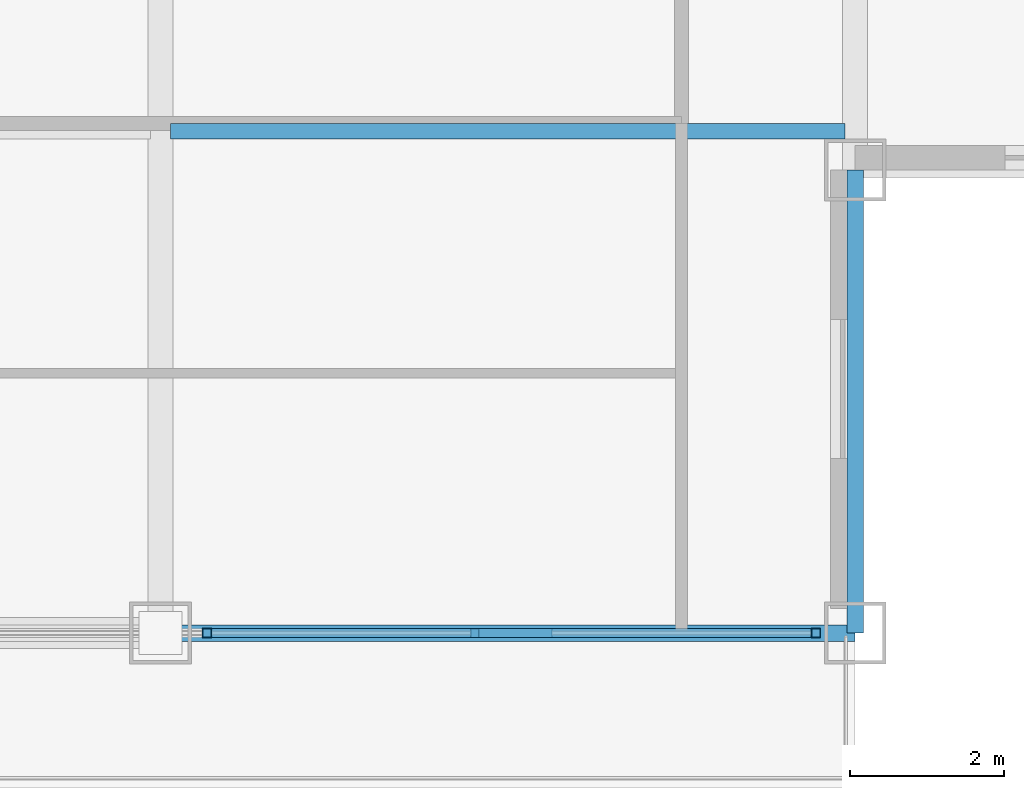
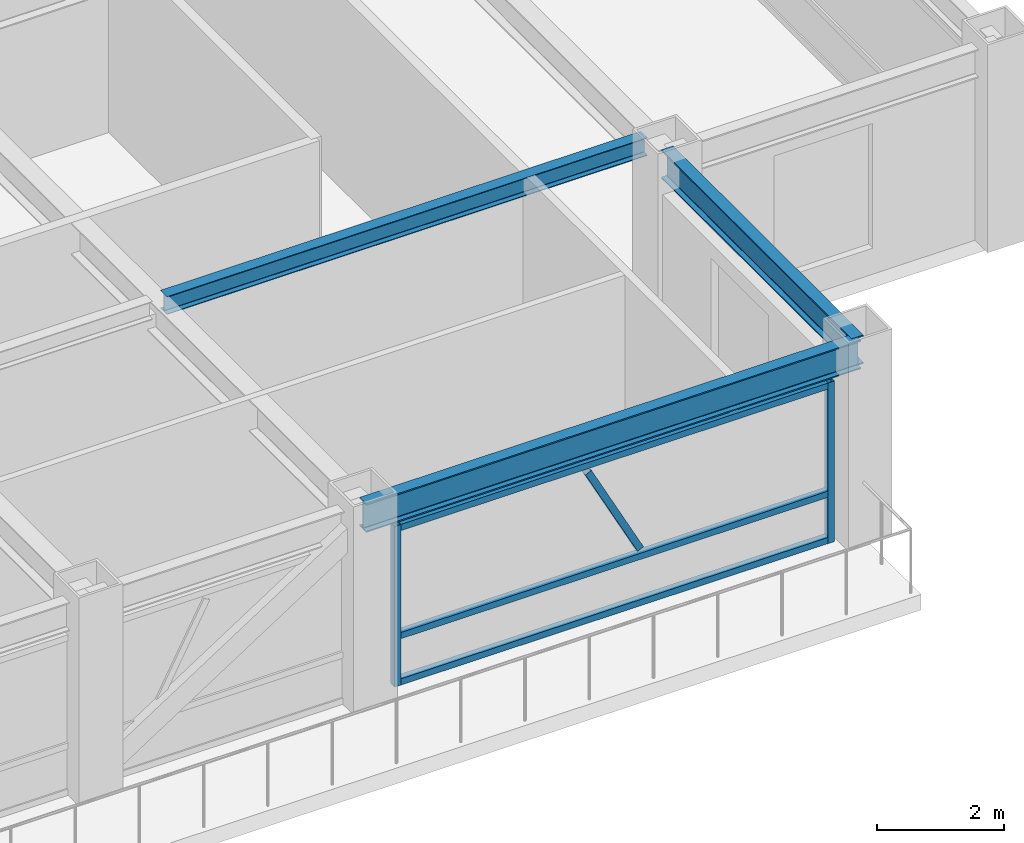
# One storey, part 9 of 30: 6 members, 3 beams, 1 element without a shape of its own.
"""IFC4 building model written with IfcOpenShell, lengths in metres."""

from ifc_helpers import new_model, si_unit, direction, frame, origin, origin_2d, place, context, subcontext, project, spatial, hollow_rectangle, i_section, extrude, source, transform, mapped, material, material_profile, profile_set, type_object, element, aggregate, save


model = new_model("IFC4")

# Units and contexts
model_context = context("Model", 3, precision=1e-05, world=origin(), true_north=direction((0.0, 1.0)))
body_context = subcontext(model_context, "Body", "Model", "MODEL_VIEW")
ifc_project = project(units=[si_unit("LENGTHUNIT", "METRE"), si_unit("AREAUNIT", "SQUARE_METRE"), si_unit("VOLUMEUNIT", "CUBIC_METRE"), si_unit("PLANEANGLEUNIT", "RADIAN"), si_unit("MASSUNIT", "GRAM", prefix="KILO")], contexts=[model_context])

# Site, building, storey
site_placement = place(None, origin())
site = spatial("IfcSite", under=ifc_project, at=site_placement, CompositionType="ELEMENT")
building_placement = place(site_placement, origin())
building = spatial("IfcBuilding", under=site, at=building_placement, Name="Khorayat Bourse Tower", CompositionType="ELEMENT")
storey_placement = place(building_placement, frame((0.0, 0.0, 326.300048828125)))
storey = spatial("IfcBuildingStorey", under=building, at=storey_placement, Name="L77", CompositionType="ELEMENT", Elevation=326.300048828125)

# Beams
ifc_material_1 = material(Name="Steel ASTM A992 Grade 50", Category="steel")
ifc_material_profile_1 = material_profile(ifc_material_1, i_section(OverallWidth=0.214111328125, OverallDepth=0.549072265625, WebThickness=0.0146484375, FlangeThickness=0.023681640625, FilletRadius=0.013916015625, at=origin_2d()), Name="W530X138")
ifc_profile_set_1 = profile_set([ifc_material_profile_1], Name="Steel ASTM A992 Grade 50")
beam_type_1 = type_object("IfcBeamType", Name="BM-SPAN-530", PredefinedType="SPANDREL", material=ifc_profile_set_1)
shared_shape_1 = source(origin(), body_context, "Body", "SweptSolid", [
    extrude(i_section(OverallWidth=0.214111328125, OverallDepth=0.549072265625, WebThickness=0.0146484375, FlangeThickness=0.023681640625, FilletRadius=0.013916015625, at=origin_2d()), origin(), (0.0, 0.0, 1.0), 9.0),
])
beam_1_placement = place(storey_placement, frame((11.0, -26.0, 3.46533203125), z_axis=(1.0, 0.0, 0.0), x_axis=(0.0, 1.0, 0.0)))
element("IfcBeam", 1, at=beam_1_placement, inside=storey, type_object=beam_type_1, Name="L77 BM-SPAN-530 BM-L77-SPN-029", PredefinedType="SPANDREL", context=body_context, shape_type="MappedRepresentation", body=[
    mapped(shared_shape_1, transform((0.0, 0.0, 0.0), scale=1.0)),
])
shared_shape_2 = source(origin(), body_context, "Body", "SweptSolid", [
    extrude(i_section(OverallWidth=0.214111328125, OverallDepth=0.549072265625, WebThickness=0.0146484375, FlangeThickness=0.023681640625, FilletRadius=0.013916015625, at=origin_2d()), origin(), (0.0, 0.0, 1.0), 6.0),
])
beam_2_placement = place(storey_placement, frame((20.0, -26.0, 3.46533203125), z_axis=(0.0, 1.0, 0.0), x_axis=(-1.0, 0.0, 0.0)))
element("IfcBeam", 2, at=beam_2_placement, inside=storey, type_object=beam_type_1, Name="L77 BM-SPAN-530 BM-L77-SPN-030", PredefinedType="SPANDREL", context=body_context, shape_type="MappedRepresentation", body=[
    mapped(shared_shape_2, transform((0.0, 0.0, 0.0), scale=1.0)),
])
ifc_material_profile_2 = material_profile(ifc_material_1, i_section(OverallWidth=0.202880859375, OverallDepth=0.346923828125, WebThickness=0.0078125, FlangeThickness=0.013427734375, FilletRadius=0.010009765625, at=origin_2d()), Name="W360X64")
ifc_profile_set_2 = profile_set([ifc_material_profile_2], Name="Steel ASTM A992 Grade 50")
beam_type_2 = type_object("IfcBeamType", Name="BM-JOIST-360", PredefinedType="JOIST", material=ifc_profile_set_2)
shared_shape_3 = source(origin(), body_context, "Body", "SweptSolid", [
    extrude(i_section(OverallWidth=0.202880859375, OverallDepth=0.346923828125, WebThickness=0.0078125, FlangeThickness=0.013427734375, FilletRadius=0.010009765625, at=origin_2d()), origin(), (0.0, 0.0, 1.0), 8.740234375),
])
beam_3_placement = place(storey_placement, frame((11.1298828125, -19.5, 3.56640625), z_axis=(1.0, 0.0, 0.0), x_axis=(0.0, 1.0, 0.0)))
element("IfcBeam", 3, at=beam_3_placement, inside=storey, type_object=beam_type_2, Name="L77 BM-JOIST-360 BM-L77-JSTX-082", PredefinedType="JOIST", context=body_context, shape_type="MappedRepresentation", body=[
    mapped(shared_shape_3, transform((0.0, 0.0, 0.0), scale=1.0)),
])

# Curtain wall, members
ifc_material_2 = material(Name="Aluminium EN AW-6063 T6", Category="aluminium")
curtain_wall_type = type_object("IfcCurtainWallType", Name="CW-SYS-04", PredefinedType="NOTDEFINED", material=ifc_material_2)
curtain_wall_placement = place(storey_placement, origin())
curtain_wall = element("IfcCurtainWall", 4, at=curtain_wall_placement, inside=storey, type_object=curtain_wall_type, Name="L77 Curtain Wall CW-L77-S2", PredefinedType="NOTDEFINED")
ifc_material_profile_3 = material_profile(ifc_material_2, hollow_rectangle(XDim=0.1201171875, YDim=0.1201171875, WallThickness=0.0048828125, at=origin_2d()), Name="ALU 120x120x5")
ifc_profile_set_3 = profile_set([ifc_material_profile_3], Name="Aluminium EN AW-6063 T6")
member_type_1 = type_object("IfcMemberType", Name="CWM-VERT-120", PredefinedType="MULLION", material=ifc_profile_set_3)
shared_shape_4 = source(origin(), body_context, "Body", "SweptSolid", [
    extrude(hollow_rectangle(XDim=0.1201171875, YDim=0.1201171875, WallThickness=0.0048828125, at=origin_2d()), origin(), (0.0, 0.0, 1.0), 3.08984375),
])
member_1_placement = place(storey_placement, frame((11.60009765625, -26.0, 0.0), z_axis=(0.0, 0.0, 1.0), x_axis=(0.0, 1.0, 0.0)))
member_1 = element("IfcMember", 5, at=member_1_placement, type_object=member_type_1, Name="CW-L77-S2 Vertical Mullion 2", PredefinedType="MULLION", context=body_context, shape_type="MappedRepresentation", body=[
    mapped(shared_shape_4, transform((0.0, 0.0, 0.0), scale=1.0)),
])
member_2_placement = place(storey_placement, frame((19.489990234375, -26.0, 0.0), z_axis=(0.0, 0.0, 1.0), x_axis=(0.0, 1.0, 0.0)))
member_2 = element("IfcMember", 6, at=member_2_placement, type_object=member_type_1, Name="CW-L77-S2 Vertical Mullion 3", PredefinedType="MULLION", context=body_context, shape_type="MappedRepresentation", body=[
    mapped(shared_shape_4, transform((0.0, 0.0, 0.0), scale=1.0)),
])
ifc_material_profile_4 = material_profile(ifc_material_2, hollow_rectangle(XDim=0.1201171875, YDim=0.1201171875, WallThickness=0.0048828125, at=origin_2d()), Name="ALU 120x120x5")
ifc_profile_set_4 = profile_set([ifc_material_profile_4], Name="Aluminium EN AW-6063 T6")
member_type_2 = type_object("IfcMemberType", Name="CWM-DIAG-120", PredefinedType="MULLION", material=ifc_profile_set_4)
shared_shape_5 = source(origin(), body_context, "Body", "SweptSolid", [
    extrude(hollow_rectangle(XDim=0.1201171875, YDim=0.1201171875, WallThickness=0.0048828125, at=origin_2d()), origin(), (0.0, 0.0, 1.0), 2.0341796875),
])
member_3_placement = place(storey_placement, frame((16.018798828125, -26.0, 1.08984375), z_axis=(-0.465790950955, 0.0, 0.884894790361), x_axis=(0.0, -1.0, 0.0)))
member_3 = element("IfcMember", 7, at=member_3_placement, type_object=member_type_2, Name="CW-L77-S2 Faceted Diagonal Mullion 2", PredefinedType="MULLION", context=body_context, shape_type="MappedRepresentation", body=[
    mapped(shared_shape_5, transform((0.0, 0.0, 0.0), scale=1.0)),
])
ifc_material_profile_5 = material_profile(ifc_material_2, hollow_rectangle(XDim=0.1201171875, YDim=0.1201171875, WallThickness=0.0048828125, at=origin_2d()), Name="ALU 120x120x5")
ifc_profile_set_5 = profile_set([ifc_material_profile_5], Name="Aluminium EN AW-6063 T6")
member_type_3 = type_object("IfcMemberType", Name="CWT-HORZ-120", PredefinedType="USERDEFINED", material=ifc_profile_set_5)
shared_shape_6 = source(origin(), body_context, "Body", "SweptSolid", [
    extrude(hollow_rectangle(XDim=0.1201171875, YDim=0.1201171875, WallThickness=0.0048828125, at=origin_2d()), origin(), (0.0, 0.0, 1.0), 7.77001953125),
])
member_4_placement = place(storey_placement, frame((11.659912109375, -26.0, 0.06005859375), z_axis=(1.0, 0.0, 0.0), x_axis=(0.0, 1.0, 0.0)))
member_4 = element("IfcMember", 8, at=member_4_placement, type_object=member_type_3, Name="CW-L77-S2 Horizontal Transom 2-1", ObjectType="TRANSOM", PredefinedType="USERDEFINED", context=body_context, shape_type="MappedRepresentation", body=[
    mapped(shared_shape_6, transform((0.0, 0.0, 0.0), scale=1.0)),
])
member_5_placement = place(storey_placement, frame((11.659912109375, -26.0, 0.949951171875), z_axis=(1.0, 0.0, 0.0), x_axis=(0.0, 1.0, 0.0)))
member_5 = element("IfcMember", 9, at=member_5_placement, type_object=member_type_3, Name="CW-L77-S2 Horizontal Transom 2-2", ObjectType="TRANSOM", PredefinedType="USERDEFINED", context=body_context, shape_type="MappedRepresentation", body=[
    mapped(shared_shape_6, transform((0.0, 0.0, 0.0), scale=1.0)),
])
member_6_placement = place(storey_placement, frame((11.659912109375, -26.0, 3.030029296875), z_axis=(1.0, 0.0, 0.0), x_axis=(0.0, 1.0, 0.0)))
member_6 = element("IfcMember", 10, at=member_6_placement, type_object=member_type_3, Name="CW-L77-S2 Horizontal Transom 2-3", ObjectType="TRANSOM", PredefinedType="USERDEFINED", context=body_context, shape_type="MappedRepresentation", body=[
    mapped(shared_shape_6, transform((0.0, 0.0, 0.0), scale=1.0)),
])
aggregate(curtain_wall, [member_1, member_2, member_4, member_5, member_6, member_3])

save(model, "model.ifc")
